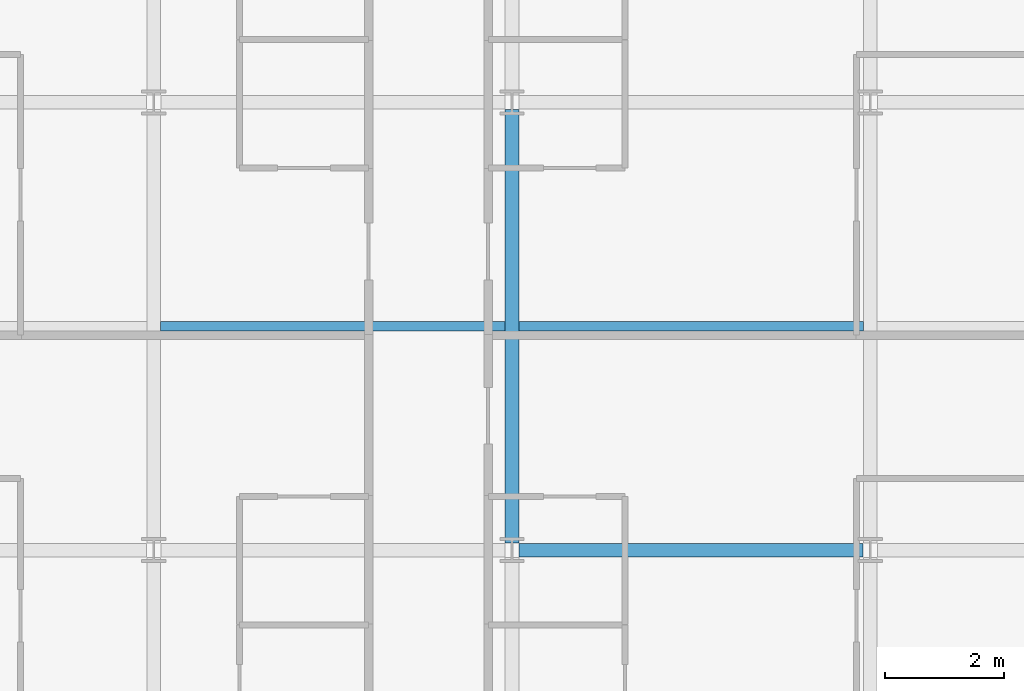
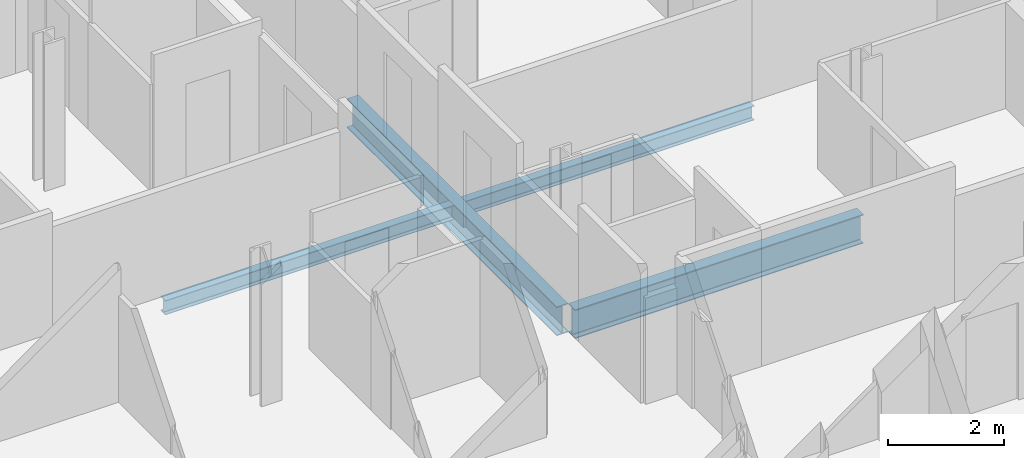
# One storey, part 6 of 41: 4 beams.
"""IFC4 building model written with IfcOpenShell, lengths in metres."""

import ifcopenshell
import ifcopenshell.guid

model = None  # the IFC model being written
_history = None  # IfcOwnerHistory: only IFC2X3 demands one
_inside = {}  # id of a spatial element -> (the spatial element, [elements in it])
_under = {}  # id of a project, library or spatial element -> (it, [spatial elements below it])
_declared = {}  # id of a project -> (the project, [libraries it declares])
_typed = {}  # id of a type object -> (the type object, [elements of that type])
_made_of = {}  # id of a material, layer set ... -> (it, [elements and type objects made of it])


def new_model(schema):
    """Start an empty IFC model of exactly this schema.

    Asked for "IFC4X3", IfcOpenShell would pick the latest addendum, in which some entities
    have other attributes; the version numbers below select the first issue.
    IFC2X3 requires an IfcOwnerHistory on every rooted entity: one is made here for all.
    """
    global model, _history
    if schema == "IFC4X3":
        model = ifcopenshell.file(schema_version=(4, 3, 0, 0))
    else:
        model = ifcopenshell.file(schema=schema)
    _inside.clear()
    _under.clear()
    _declared.clear()
    _typed.clear()
    _made_of.clear()
    _history = None
    if model.schema == "IFC2X3":
        org = make("IfcOrganization", Name="unknown")
        user = make(
            "IfcPersonAndOrganization",
            ThePerson=make("IfcPerson", FamilyName="unknown"),
            TheOrganization=org,
        )
        app = make(
            "IfcApplication",
            ApplicationDeveloper=org,
            Version="unknown",
            ApplicationFullName="unknown",
            ApplicationIdentifier="unknown",
        )
        _history = make(
            "IfcOwnerHistory",
            OwningUser=user,
            OwningApplication=app,
            ChangeAction="ADDED",
            CreationDate=0,
        )
    return model


def make(cls, **values):
    """One entity of the class cls with the attributes given. An attribute that is None is left unset."""
    return model.create_entity(
        cls, **{name: value for name, value in values.items() if value is not None}
    )


def rooted(cls, **values):
    """An entity with a GlobalId (a new one), such as an element, a storey or a relation."""
    return make(cls, GlobalId=ifcopenshell.guid.new(), OwnerHistory=_history, **values)


def si_unit(unit_type, name, prefix=None):
    """IfcSIUnit, for example si_unit("LENGTHUNIT", "METRE", prefix="MILLI")."""
    return make("IfcSIUnit", UnitType=unit_type, Prefix=prefix, Name=name)


def assignment(units):
    """IfcUnitAssignment: the units of a project."""
    return None if units is None else make("IfcUnitAssignment", Units=units)


def point(xyz):
    """IfcCartesianPoint."""
    return None if xyz is None else make("IfcCartesianPoint", Coordinates=xyz)


def direction(xyz):
    """IfcDirection."""
    return None if xyz is None else make("IfcDirection", DirectionRatios=xyz)


def frame(location, z_axis=None, x_axis=None):
    """IfcAxis2Placement3D, a coordinate frame: its origin and axes. An axis left out is left unset."""
    return make(
        "IfcAxis2Placement3D",
        Location=point(location),
        Axis=direction(z_axis),
        RefDirection=direction(x_axis),
    )


def frame_2d(location, x_axis=None):
    """IfcAxis2Placement2D, a coordinate frame in the plane: its origin and x axis."""
    return make(
        "IfcAxis2Placement2D", Location=point(location), RefDirection=direction(x_axis)
    )


def origin():
    """The frame at (0, 0, 0) with its axes left unset."""
    return frame((0.0, 0.0, 0.0))


def origin_2d():
    """The frame at (0, 0) in the plane with its x axis left unset."""
    return frame_2d((0.0, 0.0))


def place(relative_to, where):
    """IfcLocalPlacement: puts the frame where relative to a parent placement (None: the world)."""
    return make(
        "IfcLocalPlacement", PlacementRelTo=relative_to, RelativePlacement=where
    )


def context(
    kind, dimensions, precision=None, world=None, true_north=None, identifier=None
):
    """IfcGeometricRepresentationContext, for example the 3D "Model" context."""
    return make(
        "IfcGeometricRepresentationContext",
        ContextIdentifier=identifier,
        ContextType=kind,
        CoordinateSpaceDimension=dimensions,
        Precision=precision,
        WorldCoordinateSystem=world,
        TrueNorth=true_north,
    )


def subcontext(parent, identifier, kind, view, scale=None):
    """IfcGeometricRepresentationSubContext, for example "Body" below "Model"."""
    return make(
        "IfcGeometricRepresentationSubContext",
        ContextIdentifier=identifier,
        ContextType=kind,
        ParentContext=parent,
        TargetScale=scale,
        TargetView=view,
    )


def project(units=None, contexts=None):
    """IfcProject with its units and contexts."""
    return rooted(
        "IfcProject",
        Name="project",
        RepresentationContexts=contexts,
        UnitsInContext=assignment(units),
    )


def spatial(cls, under=None, at=None, **own):
    """A site, building, storey or space (cls), placed at a placement, below another one or the project."""
    s = rooted(cls, ObjectPlacement=at, **own)
    if under is not None:
        _under.setdefault(under.id(), (under, []))[1].append(s)
    return s


def profile(cls, at=None, kind="AREA", **sizes):
    """A parametric profile (cls). Its sizes go by their IFC names, for example OverallWidth=200.0."""
    return make(cls, ProfileType=kind, Position=at, **sizes)


def i_section(**sizes):
    """IfcIShapeProfileDef."""
    return profile("IfcIShapeProfileDef", **sizes)


def extrude(swept, where, along, depth):
    """IfcExtrudedAreaSolid: the profile swept, set in the frame where, extruded along a direction by depth."""
    return make(
        "IfcExtrudedAreaSolid",
        SweptArea=swept,
        Position=where,
        ExtrudedDirection=direction(along),
        Depth=depth,
    )


def shape(context_of_items, identifier, shape_type, items):
    """IfcShapeRepresentation: the items that make up one representation, for example the "Body"."""
    return make(
        "IfcShapeRepresentation",
        ContextOfItems=context_of_items,
        RepresentationIdentifier=identifier,
        RepresentationType=shape_type,
        Items=items,
    )


def material(Name=None, Category=None):
    """IfcMaterial."""
    return make("IfcMaterial", Name=Name, Category=Category)


def material_profile(
    of_material, cross_section, Name=None, Category=None, Priority=None
):
    """IfcMaterialProfile: a cross section and its material."""
    return make(
        "IfcMaterialProfile",
        Name=Name,
        Material=of_material,
        Profile=cross_section,
        Priority=Priority,
        Category=Category,
    )


def profile_set(profiles, Name=None, composite=None):
    """IfcMaterialProfileSet."""
    return make(
        "IfcMaterialProfileSet",
        Name=Name,
        MaterialProfiles=profiles,
        CompositeProfile=composite,
    )


def made_of(thing, what):
    """Note that an element or type object is made of a material, layer set ...; save() writes the relation."""
    if what is not None:
        _made_of.setdefault(what.id(), (what, []))[1].append(thing)
    return thing


def type_object(cls, material=None, **own):
    """A type object (cls), such as IfcWallType, which elements share."""
    return made_of(rooted(cls, **own), material)


def element(
    cls,
    number,
    at=None,
    inside=None,
    cuts=None,
    type_object=None,
    material=None,
    context=None,
    identifier="Body",
    shape_type=None,
    held_by="IfcProductDefinitionShape",
    body=None,
    shapes=None,
    **own,
):
    """One element of the class cls, such as IfcWall. Its Tag is "e" and its number.

    at: its placement. inside: the storey or other place that contains it. cuts: it is an
    opening in that element (IfcRelVoidsElement). A single representation is given by context,
    identifier, shape_type and body (its items); several are given by shapes. held_by: the class
    of the entity that holds the representations. save() writes the other relations.
    """
    e = rooted(cls, Tag="e%d" % number, ObjectPlacement=at, **own)
    if body is not None:
        shapes = [shape(context, identifier, shape_type, body)]
    if shapes is not None:
        e.Representation = make(held_by, Representations=shapes)
    if inside is not None:
        _inside.setdefault(inside.id(), (inside, []))[1].append(e)
    if cuts is not None:
        rooted(
            "IfcRelVoidsElement", RelatingBuildingElement=cuts, RelatedOpeningElement=e
        )
    if type_object is not None:
        _typed.setdefault(type_object.id(), (type_object, []))[1].append(e)
    return made_of(e, material)


def aggregate(whole, parts):
    """IfcRelAggregates: a whole, such as a stair, and the parts it consists of."""
    return rooted("IfcRelAggregates", RelatingObject=whole, RelatedObjects=parts)


def save(model, path):
    """Write the relations noted so far, then the file.

    IfcRelAggregates (storeys below a building ...), IfcRelContainedInSpatialStructure (elements
    in a storey), IfcRelDefinesByType, IfcRelAssociatesMaterial and IfcRelDeclares: one each for
    every whole, place, type object, material and project.
    """
    for whole, parts in _under.values():
        aggregate(whole, parts)
    for where, things in _inside.values():
        rooted(
            "IfcRelContainedInSpatialStructure",
            RelatedElements=things,
            RelatingStructure=where,
        )
    for kind, things in _typed.values():
        rooted("IfcRelDefinesByType", RelatedObjects=things, RelatingType=kind)
    for what, things in _made_of.values():
        rooted("IfcRelAssociatesMaterial", RelatedObjects=things, RelatingMaterial=what)
    for by, libraries in _declared.values():
        rooted("IfcRelDeclares", RelatingContext=by, RelatedDefinitions=libraries)
    model.write(path)


model = new_model("IFC4")

# Units and contexts
model_context = context("Model", 3, precision=1e-05, world=origin(), true_north=direction((0.0, 1.0)))
body_context = subcontext(model_context, "Body", "Model", "MODEL_VIEW")
ifc_project = project(units=[si_unit("LENGTHUNIT", "METRE"), si_unit("AREAUNIT", "SQUARE_METRE"), si_unit("VOLUMEUNIT", "CUBIC_METRE"), si_unit("PLANEANGLEUNIT", "RADIAN"), si_unit("MASSUNIT", "GRAM", prefix="KILO")], contexts=[model_context])

# Site, building, storey
site_placement = place(None, origin())
site = spatial("IfcSite", under=ifc_project, at=site_placement, CompositionType="ELEMENT")
building_placement = place(site_placement, origin())
building = spatial("IfcBuilding", under=site, at=building_placement, Name="Brevholm Reach", CompositionType="ELEMENT")
storey_placement = place(building_placement, frame((0.0, 0.0, 112.800048828125)))
storey = spatial("IfcBuildingStorey", under=building, at=storey_placement, Name="L33", CompositionType="ELEMENT", Elevation=112.800048828125)

# Beams
ifc_material_1 = material(Name="Structural Steel S355J2", Category="steel")
ifc_material_profile_1 = material_profile(ifc_material_1, i_section(OverallWidth=0.1650390625, OverallDepth=0.303466796875, WebThickness=0.006103515625, FlangeThickness=0.01025390625, FilletRadius=0.0087890625, at=origin_2d()), Name="UKB 305x165x40")
ifc_profile_set_1 = profile_set([ifc_material_profile_1], Name="Structural Steel S355J2")
beam_type_1 = type_object("IfcBeamType", Name="BM-B305", PredefinedType="BEAM", material=ifc_profile_set_1)
for number, where, z_axis, x_axis, name in (
    (1, (6.114501953125, 19.75, -0.371826171875), (1.0, 0.0, 0.0), (0.0, 1.0, 0.0), "L33 Composite Secondary Floor Beam"),
    (2, (12.114501953125, 19.75, -0.371826171875), (1.0, 0.0, 0.0), (0.0, 1.0, 0.0), "L33 Composite Secondary Floor Beam"),
):
    element("IfcBeam", number, at=place(storey_placement, frame(where, z_axis=z_axis, x_axis=x_axis)), inside=storey, type_object=beam_type_1, Name=name, PredefinedType="BEAM", context=body_context, shape_type="SweptSolid", body=[
        extrude(i_section(OverallWidth=0.1650390625, OverallDepth=0.303466796875, WebThickness=0.006103515625, FlangeThickness=0.01025390625, FilletRadius=0.0087890625, at=origin_2d()), origin(), (0.0, 0.0, 1.0), 5.77099609375),
    ])
ifc_material_2 = material(Name="Structural Steel S355J2", Category="steel")
ifc_material_profile_2 = material_profile(ifc_material_2, i_section(OverallWidth=0.22900390625, OverallDepth=0.6123046875, WebThickness=0.011962890625, FlangeThickness=0.01953125, FilletRadius=0.0126953125, at=origin_2d()), Name="UKB 610x229x125")
ifc_profile_set_2 = profile_set([ifc_material_profile_2], Name="Structural Steel S355J2")
beam_type_2 = type_object("IfcBeamType", Name="BM-SP610", PredefinedType="SPANDREL", material=ifc_profile_set_2)
beam_1_placement = place(storey_placement, frame((12.1201171875, 16.0, -0.526123046875), z_axis=(1.0, 0.0, 0.0), x_axis=(0.0, 1.0, 0.0)))
element("IfcBeam", 3, at=beam_1_placement, inside=storey, type_object=beam_type_2, Name="L33 SP-01 Framing Beam", PredefinedType="SPANDREL", context=body_context, shape_type="SweptSolid", body=[
    extrude(i_section(OverallWidth=0.22900390625, OverallDepth=0.6123046875, WebThickness=0.011962890625, FlangeThickness=0.01953125, FilletRadius=0.0126953125, at=origin_2d()), origin(), (0.0, 0.0, 1.0), 5.759765625),
])
beam_2_placement = place(storey_placement, frame((12.0, 16.1201171875, -0.526123046875), z_axis=(0.0, 1.0, 0.0), x_axis=(-1.0, 0.0, 0.0)))
element("IfcBeam", 4, at=beam_2_placement, inside=storey, type_object=beam_type_2, Name="L33 SP-01 Framing Beam", PredefinedType="SPANDREL", context=body_context, shape_type="SweptSolid", body=[
    extrude(i_section(OverallWidth=0.22900390625, OverallDepth=0.6123046875, WebThickness=0.011962890625, FlangeThickness=0.01953125, FilletRadius=0.0126953125, at=origin_2d()), origin(), (0.0, 0.0, 1.0), 7.259765625),
])

save(model, "model.ifc")
